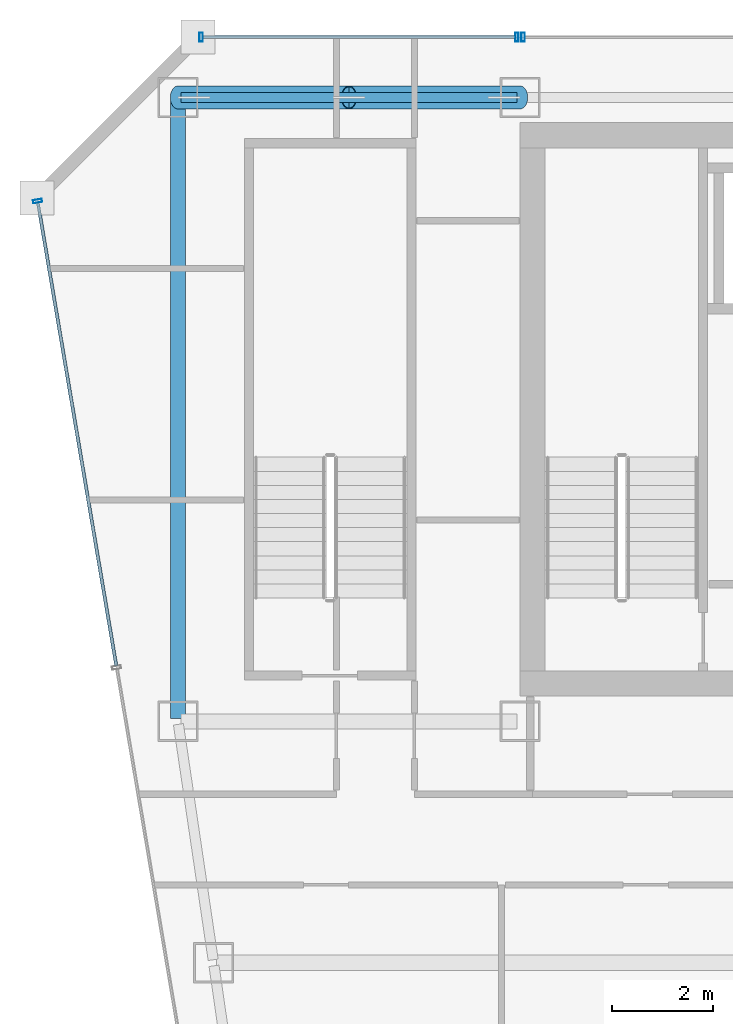
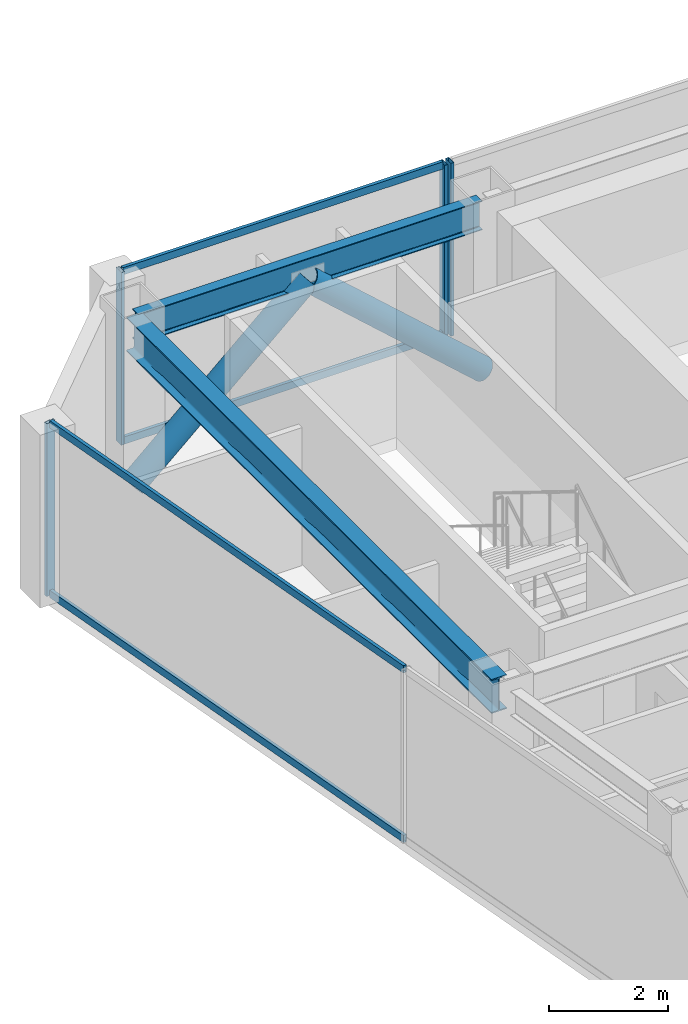
# One storey, part 23 of 36: 10 members, 2 beams, 3 elements without a shape of their own.
"""IFC4 building model written with IfcOpenShell, lengths in metres."""

import ifcopenshell
import ifcopenshell.guid

model = None  # the IFC model being written
_history = None  # IfcOwnerHistory: only IFC2X3 demands one
_inside = {}  # id of a spatial element -> (the spatial element, [elements in it])
_under = {}  # id of a project, library or spatial element -> (it, [spatial elements below it])
_declared = {}  # id of a project -> (the project, [libraries it declares])
_typed = {}  # id of a type object -> (the type object, [elements of that type])
_made_of = {}  # id of a material, layer set ... -> (it, [elements and type objects made of it])


def new_model(schema):
    """Start an empty IFC model of exactly this schema.

    Asked for "IFC4X3", IfcOpenShell would pick the latest addendum, in which some entities
    have other attributes; the version numbers below select the first issue.
    IFC2X3 requires an IfcOwnerHistory on every rooted entity: one is made here for all.
    """
    global model, _history
    if schema == "IFC4X3":
        model = ifcopenshell.file(schema_version=(4, 3, 0, 0))
    else:
        model = ifcopenshell.file(schema=schema)
    _inside.clear()
    _under.clear()
    _declared.clear()
    _typed.clear()
    _made_of.clear()
    _history = None
    if model.schema == "IFC2X3":
        org = make("IfcOrganization", Name="unknown")
        user = make(
            "IfcPersonAndOrganization",
            ThePerson=make("IfcPerson", FamilyName="unknown"),
            TheOrganization=org,
        )
        app = make(
            "IfcApplication",
            ApplicationDeveloper=org,
            Version="unknown",
            ApplicationFullName="unknown",
            ApplicationIdentifier="unknown",
        )
        _history = make(
            "IfcOwnerHistory",
            OwningUser=user,
            OwningApplication=app,
            ChangeAction="ADDED",
            CreationDate=0,
        )
    return model


def make(cls, **values):
    """One entity of the class cls with the attributes given. An attribute that is None is left unset."""
    return model.create_entity(
        cls, **{name: value for name, value in values.items() if value is not None}
    )


def rooted(cls, **values):
    """An entity with a GlobalId (a new one), such as an element, a storey or a relation."""
    return make(cls, GlobalId=ifcopenshell.guid.new(), OwnerHistory=_history, **values)


def si_unit(unit_type, name, prefix=None):
    """IfcSIUnit, for example si_unit("LENGTHUNIT", "METRE", prefix="MILLI")."""
    return make("IfcSIUnit", UnitType=unit_type, Prefix=prefix, Name=name)


def assignment(units):
    """IfcUnitAssignment: the units of a project."""
    return None if units is None else make("IfcUnitAssignment", Units=units)


def point(xyz):
    """IfcCartesianPoint."""
    return None if xyz is None else make("IfcCartesianPoint", Coordinates=xyz)


def direction(xyz):
    """IfcDirection."""
    return None if xyz is None else make("IfcDirection", DirectionRatios=xyz)


def frame(location, z_axis=None, x_axis=None):
    """IfcAxis2Placement3D, a coordinate frame: its origin and axes. An axis left out is left unset."""
    return make(
        "IfcAxis2Placement3D",
        Location=point(location),
        Axis=direction(z_axis),
        RefDirection=direction(x_axis),
    )


def frame_2d(location, x_axis=None):
    """IfcAxis2Placement2D, a coordinate frame in the plane: its origin and x axis."""
    return make(
        "IfcAxis2Placement2D", Location=point(location), RefDirection=direction(x_axis)
    )


def origin():
    """The frame at (0, 0, 0) with its axes left unset."""
    return frame((0.0, 0.0, 0.0))


def origin_2d():
    """The frame at (0, 0) in the plane with its x axis left unset."""
    return frame_2d((0.0, 0.0))


def place(relative_to, where):
    """IfcLocalPlacement: puts the frame where relative to a parent placement (None: the world)."""
    return make(
        "IfcLocalPlacement", PlacementRelTo=relative_to, RelativePlacement=where
    )


def context(
    kind, dimensions, precision=None, world=None, true_north=None, identifier=None
):
    """IfcGeometricRepresentationContext, for example the 3D "Model" context."""
    return make(
        "IfcGeometricRepresentationContext",
        ContextIdentifier=identifier,
        ContextType=kind,
        CoordinateSpaceDimension=dimensions,
        Precision=precision,
        WorldCoordinateSystem=world,
        TrueNorth=true_north,
    )


def subcontext(parent, identifier, kind, view, scale=None):
    """IfcGeometricRepresentationSubContext, for example "Body" below "Model"."""
    return make(
        "IfcGeometricRepresentationSubContext",
        ContextIdentifier=identifier,
        ContextType=kind,
        ParentContext=parent,
        TargetScale=scale,
        TargetView=view,
    )


def project(units=None, contexts=None):
    """IfcProject with its units and contexts."""
    return rooted(
        "IfcProject",
        Name="project",
        RepresentationContexts=contexts,
        UnitsInContext=assignment(units),
    )


def spatial(cls, under=None, at=None, **own):
    """A site, building, storey or space (cls), placed at a placement, below another one or the project."""
    s = rooted(cls, ObjectPlacement=at, **own)
    if under is not None:
        _under.setdefault(under.id(), (under, []))[1].append(s)
    return s


def profile(cls, at=None, kind="AREA", **sizes):
    """A parametric profile (cls). Its sizes go by their IFC names, for example OverallWidth=200.0."""
    return make(cls, ProfileType=kind, Position=at, **sizes)


def hollow_rectangle(**sizes):
    """IfcRectangleHollowProfileDef."""
    return profile("IfcRectangleHollowProfileDef", **sizes)


def hollow_circle(**sizes):
    """IfcCircleHollowProfileDef."""
    return profile("IfcCircleHollowProfileDef", **sizes)


def i_section(**sizes):
    """IfcIShapeProfileDef."""
    return profile("IfcIShapeProfileDef", **sizes)


def extrude(swept, where, along, depth):
    """IfcExtrudedAreaSolid: the profile swept, set in the frame where, extruded along a direction by depth."""
    return make(
        "IfcExtrudedAreaSolid",
        SweptArea=swept,
        Position=where,
        ExtrudedDirection=direction(along),
        Depth=depth,
    )


def shape(context_of_items, identifier, shape_type, items):
    """IfcShapeRepresentation: the items that make up one representation, for example the "Body"."""
    return make(
        "IfcShapeRepresentation",
        ContextOfItems=context_of_items,
        RepresentationIdentifier=identifier,
        RepresentationType=shape_type,
        Items=items,
    )


def material(Name=None, Category=None):
    """IfcMaterial."""
    return make("IfcMaterial", Name=Name, Category=Category)


def material_profile(
    of_material, cross_section, Name=None, Category=None, Priority=None
):
    """IfcMaterialProfile: a cross section and its material."""
    return make(
        "IfcMaterialProfile",
        Name=Name,
        Material=of_material,
        Profile=cross_section,
        Priority=Priority,
        Category=Category,
    )


def profile_set(profiles, Name=None, composite=None):
    """IfcMaterialProfileSet."""
    return make(
        "IfcMaterialProfileSet",
        Name=Name,
        MaterialProfiles=profiles,
        CompositeProfile=composite,
    )


def made_of(thing, what):
    """Note that an element or type object is made of a material, layer set ...; save() writes the relation."""
    if what is not None:
        _made_of.setdefault(what.id(), (what, []))[1].append(thing)
    return thing


def type_object(cls, material=None, **own):
    """A type object (cls), such as IfcWallType, which elements share."""
    return made_of(rooted(cls, **own), material)


def element(
    cls,
    number,
    at=None,
    inside=None,
    cuts=None,
    type_object=None,
    material=None,
    context=None,
    identifier="Body",
    shape_type=None,
    held_by="IfcProductDefinitionShape",
    body=None,
    shapes=None,
    **own,
):
    """One element of the class cls, such as IfcWall. Its Tag is "e" and its number.

    at: its placement. inside: the storey or other place that contains it. cuts: it is an
    opening in that element (IfcRelVoidsElement). A single representation is given by context,
    identifier, shape_type and body (its items); several are given by shapes. held_by: the class
    of the entity that holds the representations. save() writes the other relations.
    """
    e = rooted(cls, Tag="e%d" % number, ObjectPlacement=at, **own)
    if body is not None:
        shapes = [shape(context, identifier, shape_type, body)]
    if shapes is not None:
        e.Representation = make(held_by, Representations=shapes)
    if inside is not None:
        _inside.setdefault(inside.id(), (inside, []))[1].append(e)
    if cuts is not None:
        rooted(
            "IfcRelVoidsElement", RelatingBuildingElement=cuts, RelatedOpeningElement=e
        )
    if type_object is not None:
        _typed.setdefault(type_object.id(), (type_object, []))[1].append(e)
    return made_of(e, material)


def aggregate(whole, parts):
    """IfcRelAggregates: a whole, such as a stair, and the parts it consists of."""
    return rooted("IfcRelAggregates", RelatingObject=whole, RelatedObjects=parts)


def save(model, path):
    """Write the relations noted so far, then the file.

    IfcRelAggregates (storeys below a building ...), IfcRelContainedInSpatialStructure (elements
    in a storey), IfcRelDefinesByType, IfcRelAssociatesMaterial and IfcRelDeclares: one each for
    every whole, place, type object, material and project.
    """
    for whole, parts in _under.values():
        aggregate(whole, parts)
    for where, things in _inside.values():
        rooted(
            "IfcRelContainedInSpatialStructure",
            RelatedElements=things,
            RelatingStructure=where,
        )
    for kind, things in _typed.values():
        rooted("IfcRelDefinesByType", RelatedObjects=things, RelatingType=kind)
    for what, things in _made_of.values():
        rooted("IfcRelAssociatesMaterial", RelatedObjects=things, RelatingMaterial=what)
    for by, libraries in _declared.values():
        rooted("IfcRelDeclares", RelatingContext=by, RelatedDefinitions=libraries)
    model.write(path)


model = new_model("IFC4")

# Units and contexts
model_context = context("Model", 3, precision=1e-05, world=origin(), true_north=direction((0.0, 1.0)))
body_context = subcontext(model_context, "Body", "Model", "MODEL_VIEW")
ifc_project = project(units=[si_unit("LENGTHUNIT", "METRE"), si_unit("AREAUNIT", "SQUARE_METRE"), si_unit("VOLUMEUNIT", "CUBIC_METRE"), si_unit("PLANEANGLEUNIT", "RADIAN"), si_unit("MASSUNIT", "GRAM", prefix="KILO")], contexts=[model_context])

# Site, building, storey
site_placement = place(None, origin())
site = spatial("IfcSite", under=ifc_project, at=site_placement, CompositionType="ELEMENT")
building_placement = place(site_placement, origin())
building = spatial("IfcBuilding", under=site, at=building_placement, Name="Saevonmaru Cultural Tower", CompositionType="ELEMENT")
storey_placement = place(building_placement, frame((0.0, 0.0, 182.800048828125)))
storey = spatial("IfcBuildingStorey", under=building, at=storey_placement, Name="L41", CompositionType="ELEMENT", Elevation=182.800048828125)

# Beams
ifc_material_1 = material(Name="Steel SM355", Category="steel")
ifc_material_profile_1 = material_profile(ifc_material_1, i_section(OverallWidth=0.300048828125, OverallDepth=0.699951171875, WebThickness=0.012939453125, FlangeThickness=0.02392578125, FilletRadius=0.02587890625, at=origin_2d()), Name="H-700x300x13x24")
ifc_profile_set_1 = profile_set([ifc_material_profile_1], Name="Steel SM355")
beam_type_1 = type_object("IfcBeamType", Name="BM-G-H700", PredefinedType="BEAM", material=ifc_profile_set_1)
beam_1_placement = place(storey_placement, frame((6.800048828125, 54.739990234375, 3.199951171875), z_axis=(0.0, -1.0, 0.0), x_axis=(1.0, 0.0, 0.0)))
element("IfcBeam", 1, at=beam_1_placement, inside=storey, type_object=beam_type_1, Name="L41 Spine Transverse Girder W", PredefinedType="BEAM", context=body_context, shape_type="SweptSolid", body=[
    extrude(i_section(OverallWidth=0.300048828125, OverallDepth=0.699951171875, WebThickness=0.012939453125, FlangeThickness=0.02392578125, FilletRadius=0.02587890625, at=origin_2d()), origin(), (0.0, 0.0, 1.0), 12.280029296875),
])
ifc_material_profile_2 = material_profile(ifc_material_1, i_section(OverallWidth=0.199951171875, OverallDepth=0.60009765625, WebThickness=0.010986328125, FlangeThickness=0.01708984375, FilletRadius=0.02197265625, at=origin_2d()), Name="H-600x200x11x17")
ifc_profile_set_2 = profile_set([ifc_material_profile_2], Name="Steel SM355")
beam_type_2 = type_object("IfcBeamType", Name="BM-SP-H600", PredefinedType="SPANDREL", material=ifc_profile_set_2)
beam_2_placement = place(storey_placement, frame((6.860107421875, 54.800048828125, 3.25), z_axis=(1.0, 0.0, 0.0), x_axis=(0.0, 1.0, 0.0)))
element("IfcBeam", 2, at=beam_2_placement, inside=storey, type_object=beam_type_2, Name="L41 North Spine Girder 1", PredefinedType="SPANDREL", context=body_context, shape_type="SweptSolid", body=[
    extrude(i_section(OverallWidth=0.199951171875, OverallDepth=0.60009765625, WebThickness=0.010986328125, FlangeThickness=0.01708984375, FilletRadius=0.02197265625, at=origin_2d()), origin(), (0.0, 0.0, 1.0), 6.679931640625),
])

# Members
ifc_material_2 = material(Name="Steel SM420", Category="steel")
ifc_material_profile_3 = material_profile(ifc_material_2, hollow_circle(Radius=0.228515625, WallThickness=0.02001953125, at=origin_2d()), Name="CHS-457.2x20")
ifc_profile_set_3 = profile_set([ifc_material_profile_3], Name="Steel SM420")
member_type_1 = type_object("IfcMemberType", Name="MB-PBR-CHS457", PredefinedType="BRACE", material=ifc_profile_set_3)
for number, where, z_axis, x_axis, name in (
    (3, (6.800048828125, 54.800048828125, 0.02001953125), (0.744366945704, 0.0, 0.667770806597), (0.0, 1.0, 0.0), "L41 Perimeter Braced-Tube Diagonal WN1"),
    (4, (13.60009765625, 54.800048828125, 0.02001953125), (-0.744390779303, 0.0, 0.66774423823), (0.0, -1.0, 0.0), "L41 Perimeter Braced-Tube Diagonal WN2"),
):
    element("IfcMember", number, at=place(storey_placement, frame(where, z_axis=z_axis, x_axis=x_axis)), inside=storey, type_object=member_type_1, Name=name, PredefinedType="BRACE", context=body_context, shape_type="SweptSolid", body=[
        extrude(hollow_circle(Radius=0.228515625, WallThickness=0.02001953125, at=origin_2d()), origin(), (0.0, 0.0, 1.0), 4.567626953125),
    ])

# Curtain wall, member
ifc_material_3 = material(Name="Satin Bronze Anodised Aluminium", Category="aluminium")
curtain_wall_type = type_object("IfcCurtainWallType", Name="CW-TYP-B", PredefinedType="NOTDEFINED", material=ifc_material_3)
curtain_wall_1_placement = place(storey_placement, origin())
curtain_wall_1 = element("IfcCurtainWall", 5, at=curtain_wall_1_placement, inside=storey, type_object=curtain_wall_type, Name="L41 North Spine Unitised Curtain Wall E10B", PredefinedType="NOTDEFINED")
ifc_material_profile_4 = material_profile(ifc_material_3, hollow_rectangle(XDim=0.06494140625, YDim=0.179931640625, WallThickness=0.00390625, at=origin_2d()), Name="ALU-MULL-180x65x4")
ifc_profile_set_4 = profile_set([ifc_material_profile_4], Name="Satin Bronze Anodised Aluminium")
member_type_2 = type_object("IfcMemberType", Name="ML-CW-180x65", PredefinedType="MULLION", material=ifc_profile_set_4)
member_1_placement = place(storey_placement, frame((13.659912109375, 56.0, 0.0), z_axis=(0.0, 0.0, 1.0), x_axis=(-1.0, 0.0, 0.0)))
member_1 = element("IfcMember", 6, at=member_1_placement, type_object=member_type_2, Name="CW-TW-L41-E10B mullion 4", PredefinedType="MULLION", context=body_context, shape_type="SweptSolid", body=[
    extrude(hollow_rectangle(XDim=0.06494140625, YDim=0.179931640625, WallThickness=0.00390625, at=origin_2d()), origin(), (0.0, 0.0, 1.0), 3.550048828125),
])
aggregate(curtain_wall_1, [member_1])

# Curtain wall, members
curtain_wall_2_placement = place(storey_placement, origin())
curtain_wall_2 = element("IfcCurtainWall", 7, at=curtain_wall_2_placement, inside=storey, type_object=curtain_wall_type, Name="L41 West Braced Bay Spandrel Curtain Wall E10C", PredefinedType="NOTDEFINED")
member_2_placement = place(storey_placement, frame((13.5400390625, 56.0, 0.0), z_axis=(0.0, 0.0, 1.0), x_axis=(-1.0, 0.0, 0.0)))
member_2 = element("IfcMember", 8, at=member_2_placement, type_object=member_type_2, Name="CW-TW-L41-E10C mullion 1", PredefinedType="MULLION", context=body_context, shape_type="SweptSolid", body=[
    extrude(hollow_rectangle(XDim=0.06494140625, YDim=0.179931640625, WallThickness=0.00390625, at=origin_2d()), origin(), (0.0, 0.0, 1.0), 3.550048828125),
])
member_3_placement = place(storey_placement, frame((7.260009765625, 56.0, 0.0), z_axis=(0.0, 0.0, 1.0), x_axis=(-1.0, 0.0, 0.0)))
member_3 = element("IfcMember", 9, at=member_3_placement, type_object=member_type_2, Name="CW-TW-L41-E10C mullion 2", PredefinedType="MULLION", context=body_context, shape_type="SweptSolid", body=[
    extrude(hollow_rectangle(XDim=0.06494140625, YDim=0.179931640625, WallThickness=0.00390625, at=origin_2d()), origin(), (0.0, 0.0, 1.0), 3.550048828125),
])

# Curtain wall, member
curtain_wall_3_placement = place(storey_placement, origin())
curtain_wall_3 = element("IfcCurtainWall", 10, at=curtain_wall_3_placement, inside=storey, type_object=curtain_wall_type, Name="L41 Unitised Curtain Wall E12", PredefinedType="NOTDEFINED")
member_4_placement = place(storey_placement, frame((4.010009765625, 52.74072265625, 0.0), z_axis=(0.0, 0.0, 1.0), x_axis=(0.16692169721, -0.985970155228, 0.0)))
member_4 = element("IfcMember", 11, at=member_4_placement, type_object=member_type_2, Name="CW-TW-L41-E12 mullion 1", PredefinedType="MULLION", context=body_context, shape_type="SweptSolid", body=[
    extrude(hollow_rectangle(XDim=0.06494140625, YDim=0.179931640625, WallThickness=0.00390625, at=origin_2d()), origin(), (0.0, 0.0, 1.0), 3.550048828125),
])

# Member
ifc_material_profile_5 = material_profile(ifc_material_3, hollow_rectangle(XDim=0.06494140625, YDim=0.14990234375, WallThickness=0.00390625, at=origin_2d()), Name="ALU-TRAN-150x65x4")
ifc_profile_set_5 = profile_set([ifc_material_profile_5], Name="Satin Bronze Anodised Aluminium")
member_type_3 = type_object("IfcMemberType", Name="TR-CW-150x65", PredefinedType="USERDEFINED", material=ifc_profile_set_5)
member_5_placement = place(storey_placement, frame((13.507568359375, 56.0, 0.032470703125), z_axis=(-1.0, 0.0, 0.0), x_axis=(0.0, -1.0, 0.0)))
member_5 = element("IfcMember", 12, at=member_5_placement, type_object=member_type_3, Name="CW-TW-L41-E10C transom 1.1", ObjectType="TRANSOM", PredefinedType="USERDEFINED", context=body_context, shape_type="SweptSolid", body=[
    extrude(hollow_rectangle(XDim=0.06494140625, YDim=0.14990234375, WallThickness=0.00390625, at=origin_2d()), origin(), (0.0, 0.0, 1.0), 6.215087890625),
])

member_6_placement = place(storey_placement, frame((13.507568359375, 56.0, 3.517333984375), z_axis=(-1.0, 0.0, 0.0), x_axis=(0.0, -1.0, 0.0)))
member_6 = element("IfcMember", 13, at=member_6_placement, type_object=member_type_3, Name="CW-TW-L41-E10C transom 1.2", ObjectType="TRANSOM", PredefinedType="USERDEFINED", context=body_context, shape_type="SweptSolid", body=[
    extrude(hollow_rectangle(XDim=0.06494140625, YDim=0.14990234375, WallThickness=0.00390625, at=origin_2d()), origin(), (0.0, 0.0, 1.0), 6.215087890625),
])

aggregate(curtain_wall_2, [member_2, member_3, member_5, member_6])

member_7_placement = place(storey_placement, frame((4.015380859375, 52.708740234375, 0.032470703125), z_axis=(0.166921263871, -0.985970228591, 0.0), x_axis=(0.985970228591, 0.166921263871, 0.0)))
member_7 = element("IfcMember", 14, at=member_7_placement, type_object=member_type_3, Name="CW-TW-L41-E12 transom 1.1", ObjectType="TRANSOM", PredefinedType="USERDEFINED", context=body_context, shape_type="SweptSolid", body=[
    extrude(hollow_rectangle(XDim=0.06494140625, YDim=0.14990234375, WallThickness=0.00390625, at=origin_2d()), origin(), (0.0, 0.0, 1.0), 9.33740234375),
])

member_8_placement = place(storey_placement, frame((4.015380859375, 52.708740234375, 3.517333984375), z_axis=(0.166921263871, -0.985970228591, 0.0), x_axis=(0.985970228591, 0.166921263871, 0.0)))
member_8 = element("IfcMember", 15, at=member_8_placement, type_object=member_type_3, Name="CW-TW-L41-E12 transom 1.2", ObjectType="TRANSOM", PredefinedType="USERDEFINED", context=body_context, shape_type="SweptSolid", body=[
    extrude(hollow_rectangle(XDim=0.06494140625, YDim=0.14990234375, WallThickness=0.00390625, at=origin_2d()), origin(), (0.0, 0.0, 1.0), 9.33740234375),
])

aggregate(curtain_wall_3, [member_4, member_7, member_8])

save(model, "model.ifc")
